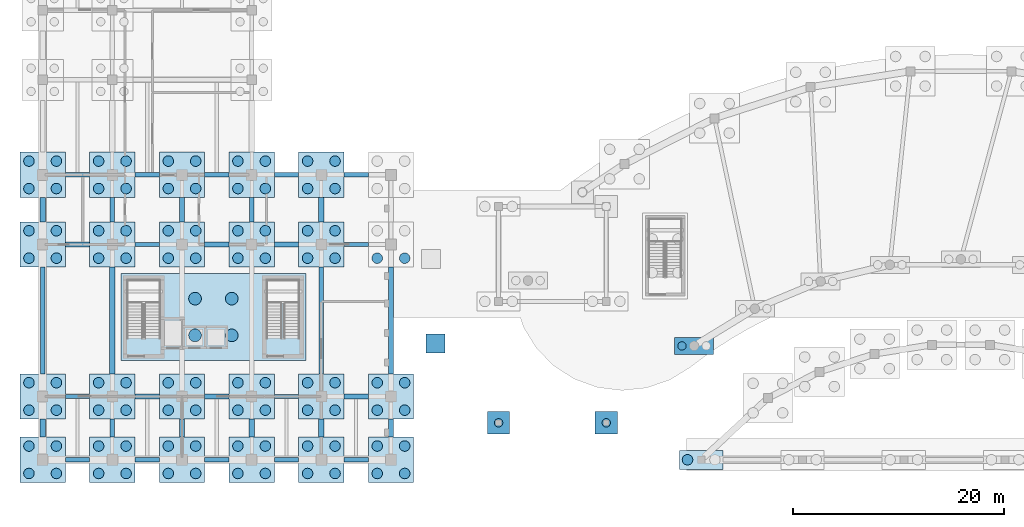
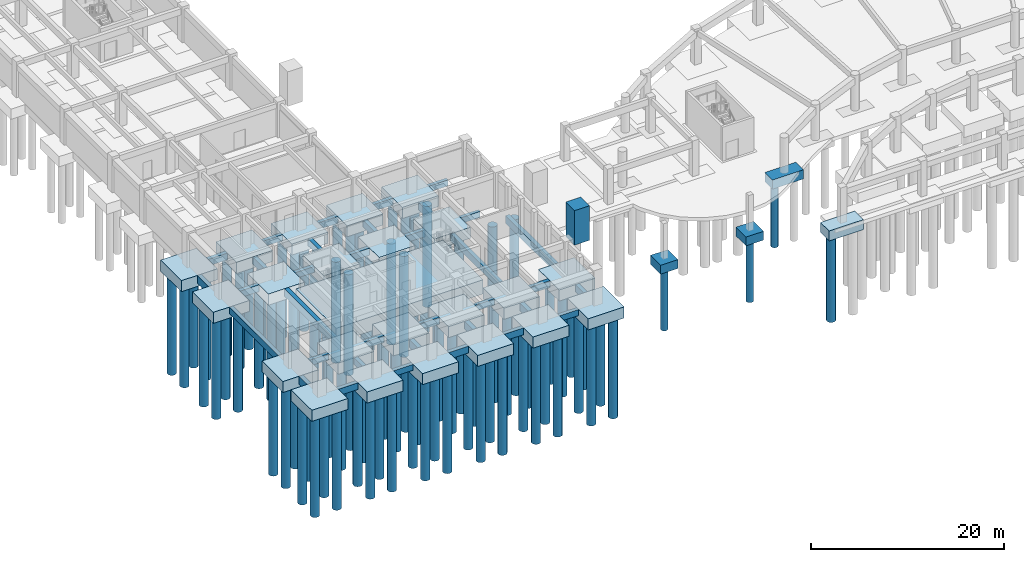
# One storey, part 1 of 28: 98 piles, 63 footings.
"""IFC4 building model written with IfcOpenShell, lengths in metres."""

from ifc_helpers import new_model, si_unit, direction, frame, origin, origin_2d, place, context, subcontext, project, spatial, rectangle, circle, extrude, material, layer, layer_set, material_profile, profile_set, type_object, element, save


model = new_model("IFC4")

# Units and contexts
model_context = context("Model", 3, precision=1e-05, world=origin(), true_north=direction((0.0, 1.0)))
body_context = subcontext(model_context, "Body", "Model", "MODEL_VIEW")
ifc_project = project(units=[si_unit("LENGTHUNIT", "METRE"), si_unit("AREAUNIT", "SQUARE_METRE"), si_unit("VOLUMEUNIT", "CUBIC_METRE"), si_unit("PLANEANGLEUNIT", "RADIAN"), si_unit("MASSUNIT", "GRAM", prefix="KILO")], contexts=[model_context])

# Site, building, storey
site_placement = place(None, origin())
site = spatial("IfcSite", under=ifc_project, at=site_placement, CompositionType="ELEMENT")
building_placement = place(site_placement, origin())
building = spatial("IfcBuilding", under=site, at=building_placement, Name="Miralva Faculty of Natural Sciences", CompositionType="ELEMENT")
storey_placement = place(building_placement, frame((0.0, 0.0, -4.5)))
storey = spatial("IfcBuildingStorey", under=building, at=storey_placement, Name="B1", CompositionType="ELEMENT", Elevation=-4.5)

# Footings
ifc_material_1 = material(Name="Concrete C35/45", Category="concrete")
ifc_layer_1 = layer(ifc_material_1, 1.10009765625, Name="CAP-PC01")
ifc_layer_set_1 = layer_set([ifc_layer_1], Name="Concrete C35/45")
footing_type_1 = type_object("IfcFootingType", Name="CAP-PC01", PredefinedType="PILE_CAP", material=ifc_layer_set_1)
for number, where, z_axis, x_axis, name in (
    (1, (46.199951171875, 6.5, -1.10009765625), (0.0, 0.0, 1.0), (1.0, 0.0, 0.0), "Canopy pier pile cap 1"),
    (2, (56.39990234375, 6.5, -1.10009765625), (0.0, 0.0, 1.0), (1.0, 0.0, 0.0), "Canopy pier pile cap 2"),
):
    element("IfcFooting", number, at=place(storey_placement, frame(where, z_axis=z_axis, x_axis=x_axis)), inside=storey, type_object=footing_type_1, Name=name, PredefinedType="PILE_CAP", context=body_context, shape_type="SweptSolid", body=[
        extrude(rectangle(XDim=2.10009765625, YDim=2.10009765625, at=origin_2d()), origin(), (0.0, 0.0, 1.0), 1.10009765625),
    ])
ifc_layer_2 = layer(ifc_material_1, 1.14990234375, Name="CAP-PC02")
ifc_layer_set_2 = layer_set([ifc_layer_2], Name="Concrete C35/45")
footing_type_2 = type_object("IfcFootingType", Name="CAP-PC02", PredefinedType="PILE_CAP", material=ifc_layer_set_2)
footing_1_placement = place(storey_placement, frame((64.72509765625, 13.78759765625, -1.14990234375), z_axis=(0.0, 0.0, 1.0), x_axis=(1.0, 0.0, 0.0)))
element("IfcFooting", 3, at=footing_1_placement, inside=storey, type_object=footing_type_2, Name="Pile cap CS-ARC-IN01", PredefinedType="PILE_CAP", context=body_context, shape_type="SweptSolid", body=[
    extrude(rectangle(XDim=3.699951171875, YDim=1.60009765625, at=origin_2d()), origin(), (0.0, 0.0, 1.0), 1.14990234375),
])
ifc_layer_3 = layer(ifc_material_1, 1.25, Name="CAP-PC04")
ifc_layer_set_3 = layer_set([ifc_layer_3], Name="Concrete C35/45")
footing_type_3 = type_object("IfcFootingType", Name="CAP-PC04", PredefinedType="PILE_CAP", material=ifc_layer_set_3)
footing_2_placement = place(storey_placement, frame((65.39990234375, 3.0, -1.25), z_axis=(0.0, 0.0, 1.0), x_axis=(1.0, 0.0, 0.0)))
element("IfcFooting", 4, at=footing_2_placement, inside=storey, type_object=footing_type_3, Name="Pile cap CS-V1-S9", PredefinedType="PILE_CAP", context=body_context, shape_type="SweptSolid", body=[
    extrude(rectangle(XDim=4.10009765625, YDim=1.800048828125, at=origin_2d()), origin(), (0.0, 0.0, 1.0), 1.25),
])
ifc_layer_4 = layer(ifc_material_1, 1.39990234375, Name="CAP-PC06")
ifc_layer_set_4 = layer_set([ifc_layer_4], Name="Concrete C35/45")
footing_type_4 = type_object("IfcFootingType", Name="CAP-PC06", PredefinedType="PILE_CAP", material=ifc_layer_set_4)
for number, where, z_axis, x_axis, name in (
    (5, (3.0, 3.0, -1.39990234375), (0.0, 0.0, 1.0), (1.0, 0.0, 0.0), "Pile cap CS-V5-1A"),
    (6, (3.0, 9.0, -1.39990234375), (0.0, 0.0, 1.0), (1.0, 0.0, 0.0), "Pile cap CS-V5-1B"),
    (7, (3.0, 23.39990234375, -1.39990234375), (0.0, 0.0, 1.0), (1.0, 0.0, 0.0), "Pile cap CS-V5-1C"),
    (8, (3.0, 30.0, -1.39990234375), (0.0, 0.0, 1.0), (1.0, 0.0, 0.0), "Pile cap CS-V5-1D"),
    (9, (9.60009765625, 3.0, -1.39990234375), (0.0, 0.0, 1.0), (1.0, 0.0, 0.0), "Pile cap CS-V5-2A"),
    (10, (9.60009765625, 9.0, -1.39990234375), (0.0, 0.0, 1.0), (1.0, 0.0, 0.0), "Pile cap CS-V5-2B"),
    (11, (9.60009765625, 23.39990234375, -1.39990234375), (0.0, 0.0, 1.0), (1.0, 0.0, 0.0), "Pile cap CS-V5-2C"),
    (12, (9.60009765625, 30.0, -1.39990234375), (0.0, 0.0, 1.0), (1.0, 0.0, 0.0), "Pile cap CS-V5-2D"),
    (13, (16.199951171875, 3.0, -1.39990234375), (0.0, 0.0, 1.0), (1.0, 0.0, 0.0), "Pile cap CS-V5-3A"),
    (14, (16.199951171875, 9.0, -1.39990234375), (0.0, 0.0, 1.0), (1.0, 0.0, 0.0), "Pile cap CS-V5-3B"),
    (15, (16.199951171875, 23.39990234375, -1.39990234375), (0.0, 0.0, 1.0), (1.0, 0.0, 0.0), "Pile cap CS-V5-3C"),
    (16, (16.199951171875, 30.0, -1.39990234375), (0.0, 0.0, 1.0), (1.0, 0.0, 0.0), "Pile cap CS-V5-3D"),
    (17, (22.800048828125, 3.0, -1.39990234375), (0.0, 0.0, 1.0), (1.0, 0.0, 0.0), "Pile cap CS-V5-4A"),
    (18, (22.800048828125, 9.0, -1.39990234375), (0.0, 0.0, 1.0), (1.0, 0.0, 0.0), "Pile cap CS-V5-4B"),
    (19, (22.800048828125, 23.39990234375, -1.39990234375), (0.0, 0.0, 1.0), (1.0, 0.0, 0.0), "Pile cap CS-V5-4C"),
    (20, (22.800048828125, 30.0, -1.39990234375), (0.0, 0.0, 1.0), (1.0, 0.0, 0.0), "Pile cap CS-V5-4D"),
    (21, (29.39990234375, 3.0, -1.39990234375), (0.0, 0.0, 1.0), (1.0, 0.0, 0.0), "Pile cap CS-V5-5A"),
    (22, (29.39990234375, 9.0, -1.39990234375), (0.0, 0.0, 1.0), (1.0, 0.0, 0.0), "Pile cap CS-V5-5B"),
    (23, (29.39990234375, 23.39990234375, -1.39990234375), (0.0, 0.0, 1.0), (1.0, 0.0, 0.0), "Pile cap CS-V5-5C"),
    (24, (29.39990234375, 30.0, -1.39990234375), (0.0, 0.0, 1.0), (1.0, 0.0, 0.0), "Pile cap CS-V5-5D"),
    (25, (36.0, 3.0, -1.39990234375), (0.0, 0.0, 1.0), (1.0, 0.0, 0.0), "Pile cap CS-V5-6A"),
    (26, (36.0, 9.0, -1.39990234375), (0.0, 0.0, 1.0), (1.0, 0.0, 0.0), "Pile cap CS-V5-6B"),
):
    element("IfcFooting", number, at=place(storey_placement, frame(where, z_axis=z_axis, x_axis=x_axis)), inside=storey, type_object=footing_type_4, Name=name, PredefinedType="PILE_CAP", context=body_context, shape_type="SweptSolid", body=[
        extrude(rectangle(XDim=4.300048828125, YDim=4.300048828125, at=origin_2d()), origin(), (0.0, 0.0, 1.0), 1.39990234375),
    ])
ifc_material_2 = material(Name="Concrete C40/50", Category="concrete")
ifc_layer_5 = layer(ifc_material_2, 1.800048828125, Name="CAP-PC10-C1AB")
ifc_layer_set_5 = layer_set([ifc_layer_5], Name="Concrete C40/50")
footing_type_5 = type_object("IfcFootingType", Name="CAP-PC10-C1AB", PredefinedType="PILE_CAP", material=ifc_layer_set_5)
footing_3_placement = place(storey_placement, frame((19.175048828125, 16.52490234375, -1.7998046875), z_axis=(0.0, 0.0, 1.0), x_axis=(1.0, 0.0, 0.0)))
element("IfcFooting", 27, at=footing_3_placement, inside=storey, type_object=footing_type_5, Name="Core C1AB pile cap", PredefinedType="PILE_CAP", context=body_context, shape_type="SweptSolid", body=[
    extrude(rectangle(XDim=17.550048828125, YDim=8.25, at=origin_2d()), origin(), (0.0, 0.0, 1.0), 1.800048828125),
])
ifc_layer_6 = layer(ifc_material_1, 0.75, Name="PAD-PF01")
ifc_layer_set_6 = layer_set([ifc_layer_6], Name="Concrete C35/45")
footing_type_6 = type_object("IfcFootingType", Name="PAD-PF01", PredefinedType="PAD_FOOTING", material=ifc_layer_set_6)
footing_4_placement = place(storey_placement, frame((40.199951171875, 14.0, -0.0302734375), z_axis=(0.0, 0.0, 1.0), x_axis=(1.0, 0.0, 0.0)))
element("IfcFooting", 28, at=footing_4_placement, inside=storey, type_object=footing_type_6, Name="Pedestrian ramp RMP-PED-01 abutment pier", PredefinedType="PAD_FOOTING", context=body_context, shape_type="SweptSolid", body=[
    extrude(rectangle(XDim=1.800048828125, YDim=1.800048828125, at=origin_2d()), origin(), (0.0, 0.0, 1.0), 4.360107421875),
])

# Piles
ifc_material_profile_1 = material_profile(ifc_material_1, circle(Radius=0.5, at=origin_2d()), Name="BORED PILE 1000")
ifc_profile_set_1 = profile_set([ifc_material_profile_1], Name="Concrete C35/45")
pile_type_1 = type_object("IfcPileType", Name="PILE-P1000", PredefinedType="BORED", material=ifc_profile_set_1)
for number, where, z_axis, x_axis, name in (
    (29, (1.699951171875, 1.699951171875, -1.25), (0.0, 0.0, -1.0), (1.0, 0.0, 0.0), "Bored pile CS-V5-1A-1"),
    (30, (4.300048828125, 1.699951171875, -1.25), (0.0, 0.0, -1.0), (1.0, 0.0, 0.0), "Bored pile CS-V5-1A-2"),
    (31, (1.699951171875, 4.300048828125, -1.25), (0.0, 0.0, -1.0), (1.0, 0.0, 0.0), "Bored pile CS-V5-1A-3"),
    (32, (4.300048828125, 4.300048828125, -1.25), (0.0, 0.0, -1.0), (1.0, 0.0, 0.0), "Bored pile CS-V5-1A-4"),
    (33, (1.699951171875, 7.699951171875, -1.25), (0.0, 0.0, -1.0), (1.0, 0.0, 0.0), "Bored pile CS-V5-1B-1"),
    (34, (4.300048828125, 7.699951171875, -1.25), (0.0, 0.0, -1.0), (1.0, 0.0, 0.0), "Bored pile CS-V5-1B-2"),
    (35, (1.699951171875, 10.300048828125, -1.25), (0.0, 0.0, -1.0), (1.0, 0.0, 0.0), "Bored pile CS-V5-1B-3"),
    (36, (4.300048828125, 10.300048828125, -1.25), (0.0, 0.0, -1.0), (1.0, 0.0, 0.0), "Bored pile CS-V5-1B-4"),
    (37, (1.699951171875, 22.10009765625, -1.25), (0.0, 0.0, -1.0), (1.0, 0.0, 0.0), "Bored pile CS-V5-1C-1"),
    (38, (4.300048828125, 22.10009765625, -1.25), (0.0, 0.0, -1.0), (1.0, 0.0, 0.0), "Bored pile CS-V5-1C-2"),
    (39, (1.699951171875, 24.699951171875, -1.25), (0.0, 0.0, -1.0), (1.0, 0.0, 0.0), "Bored pile CS-V5-1C-3"),
    (40, (4.300048828125, 24.699951171875, -1.25), (0.0, 0.0, -1.0), (1.0, 0.0, 0.0), "Bored pile CS-V5-1C-4"),
    (41, (1.699951171875, 28.699951171875, -1.25), (0.0, 0.0, -1.0), (1.0, 0.0, 0.0), "Bored pile CS-V5-1D-1"),
    (42, (4.300048828125, 28.699951171875, -1.25), (0.0, 0.0, -1.0), (1.0, 0.0, 0.0), "Bored pile CS-V5-1D-2"),
    (43, (1.699951171875, 31.300048828125, -1.25), (0.0, 0.0, -1.0), (1.0, 0.0, 0.0), "Bored pile CS-V5-1D-3"),
    (44, (4.300048828125, 31.300048828125, -1.25), (0.0, 0.0, -1.0), (1.0, 0.0, 0.0), "Bored pile CS-V5-1D-4"),
    (45, (8.300048828125, 1.699951171875, -1.25), (0.0, 0.0, -1.0), (1.0, 0.0, 0.0), "Bored pile CS-V5-2A-1"),
    (46, (10.89990234375, 1.699951171875, -1.25), (0.0, 0.0, -1.0), (1.0, 0.0, 0.0), "Bored pile CS-V5-2A-2"),
    (47, (8.300048828125, 4.300048828125, -1.25), (0.0, 0.0, -1.0), (1.0, 0.0, 0.0), "Bored pile CS-V5-2A-3"),
    (48, (10.89990234375, 4.300048828125, -1.25), (0.0, 0.0, -1.0), (1.0, 0.0, 0.0), "Bored pile CS-V5-2A-4"),
    (49, (8.300048828125, 7.699951171875, -1.25), (0.0, 0.0, -1.0), (1.0, 0.0, 0.0), "Bored pile CS-V5-2B-1"),
    (50, (10.89990234375, 7.699951171875, -1.25), (0.0, 0.0, -1.0), (1.0, 0.0, 0.0), "Bored pile CS-V5-2B-2"),
    (51, (8.300048828125, 10.300048828125, -1.25), (0.0, 0.0, -1.0), (1.0, 0.0, 0.0), "Bored pile CS-V5-2B-3"),
    (52, (10.89990234375, 10.300048828125, -1.25), (0.0, 0.0, -1.0), (1.0, 0.0, 0.0), "Bored pile CS-V5-2B-4"),
    (53, (8.300048828125, 22.10009765625, -1.25), (0.0, 0.0, -1.0), (1.0, 0.0, 0.0), "Bored pile CS-V5-2C-1"),
    (54, (10.89990234375, 22.10009765625, -1.25), (0.0, 0.0, -1.0), (1.0, 0.0, 0.0), "Bored pile CS-V5-2C-2"),
    (55, (8.300048828125, 24.699951171875, -1.25), (0.0, 0.0, -1.0), (1.0, 0.0, 0.0), "Bored pile CS-V5-2C-3"),
    (56, (10.89990234375, 24.699951171875, -1.25), (0.0, 0.0, -1.0), (1.0, 0.0, 0.0), "Bored pile CS-V5-2C-4"),
    (57, (8.300048828125, 28.699951171875, -1.25), (0.0, 0.0, -1.0), (1.0, 0.0, 0.0), "Bored pile CS-V5-2D-1"),
    (58, (10.89990234375, 28.699951171875, -1.25), (0.0, 0.0, -1.0), (1.0, 0.0, 0.0), "Bored pile CS-V5-2D-2"),
    (59, (8.300048828125, 31.300048828125, -1.25), (0.0, 0.0, -1.0), (1.0, 0.0, 0.0), "Bored pile CS-V5-2D-3"),
    (60, (10.89990234375, 31.300048828125, -1.25), (0.0, 0.0, -1.0), (1.0, 0.0, 0.0), "Bored pile CS-V5-2D-4"),
    (61, (14.89990234375, 1.699951171875, -1.25), (0.0, 0.0, -1.0), (1.0, 0.0, 0.0), "Bored pile CS-V5-3A-1"),
    (62, (17.5, 1.699951171875, -1.25), (0.0, 0.0, -1.0), (1.0, 0.0, 0.0), "Bored pile CS-V5-3A-2"),
    (63, (14.89990234375, 4.300048828125, -1.25), (0.0, 0.0, -1.0), (1.0, 0.0, 0.0), "Bored pile CS-V5-3A-3"),
    (64, (17.5, 4.300048828125, -1.25), (0.0, 0.0, -1.0), (1.0, 0.0, 0.0), "Bored pile CS-V5-3A-4"),
    (65, (14.89990234375, 7.699951171875, -1.25), (0.0, 0.0, -1.0), (1.0, 0.0, 0.0), "Bored pile CS-V5-3B-1"),
    (66, (17.5, 7.699951171875, -1.25), (0.0, 0.0, -1.0), (1.0, 0.0, 0.0), "Bored pile CS-V5-3B-2"),
    (67, (14.89990234375, 10.300048828125, -1.25), (0.0, 0.0, -1.0), (1.0, 0.0, 0.0), "Bored pile CS-V5-3B-3"),
    (68, (17.5, 10.300048828125, -1.25), (0.0, 0.0, -1.0), (1.0, 0.0, 0.0), "Bored pile CS-V5-3B-4"),
    (69, (14.89990234375, 22.10009765625, -1.25), (0.0, 0.0, -1.0), (1.0, 0.0, 0.0), "Bored pile CS-V5-3C-1"),
    (70, (17.5, 22.10009765625, -1.25), (0.0, 0.0, -1.0), (1.0, 0.0, 0.0), "Bored pile CS-V5-3C-2"),
    (71, (14.89990234375, 24.699951171875, -1.25), (0.0, 0.0, -1.0), (1.0, 0.0, 0.0), "Bored pile CS-V5-3C-3"),
    (72, (17.5, 24.699951171875, -1.25), (0.0, 0.0, -1.0), (1.0, 0.0, 0.0), "Bored pile CS-V5-3C-4"),
    (73, (14.89990234375, 28.699951171875, -1.25), (0.0, 0.0, -1.0), (1.0, 0.0, 0.0), "Bored pile CS-V5-3D-1"),
    (74, (17.5, 28.699951171875, -1.25), (0.0, 0.0, -1.0), (1.0, 0.0, 0.0), "Bored pile CS-V5-3D-2"),
    (75, (14.89990234375, 31.300048828125, -1.25), (0.0, 0.0, -1.0), (1.0, 0.0, 0.0), "Bored pile CS-V5-3D-3"),
    (76, (17.5, 31.300048828125, -1.25), (0.0, 0.0, -1.0), (1.0, 0.0, 0.0), "Bored pile CS-V5-3D-4"),
    (77, (21.5, 1.699951171875, -1.25), (0.0, 0.0, -1.0), (1.0, 0.0, 0.0), "Bored pile CS-V5-4A-1"),
    (78, (24.10009765625, 1.699951171875, -1.25), (0.0, 0.0, -1.0), (1.0, 0.0, 0.0), "Bored pile CS-V5-4A-2"),
    (79, (21.5, 4.300048828125, -1.25), (0.0, 0.0, -1.0), (1.0, 0.0, 0.0), "Bored pile CS-V5-4A-3"),
    (80, (24.10009765625, 4.300048828125, -1.25), (0.0, 0.0, -1.0), (1.0, 0.0, 0.0), "Bored pile CS-V5-4A-4"),
    (81, (21.5, 7.699951171875, -1.25), (0.0, 0.0, -1.0), (1.0, 0.0, 0.0), "Bored pile CS-V5-4B-1"),
    (82, (24.10009765625, 7.699951171875, -1.25), (0.0, 0.0, -1.0), (1.0, 0.0, 0.0), "Bored pile CS-V5-4B-2"),
    (83, (21.5, 10.300048828125, -1.25), (0.0, 0.0, -1.0), (1.0, 0.0, 0.0), "Bored pile CS-V5-4B-3"),
    (84, (24.10009765625, 10.300048828125, -1.25), (0.0, 0.0, -1.0), (1.0, 0.0, 0.0), "Bored pile CS-V5-4B-4"),
    (85, (21.5, 22.10009765625, -1.25), (0.0, 0.0, -1.0), (1.0, 0.0, 0.0), "Bored pile CS-V5-4C-1"),
    (86, (24.10009765625, 22.10009765625, -1.25), (0.0, 0.0, -1.0), (1.0, 0.0, 0.0), "Bored pile CS-V5-4C-2"),
    (87, (21.5, 24.699951171875, -1.25), (0.0, 0.0, -1.0), (1.0, 0.0, 0.0), "Bored pile CS-V5-4C-3"),
    (88, (24.10009765625, 24.699951171875, -1.25), (0.0, 0.0, -1.0), (1.0, 0.0, 0.0), "Bored pile CS-V5-4C-4"),
    (89, (21.5, 28.699951171875, -1.25), (0.0, 0.0, -1.0), (1.0, 0.0, 0.0), "Bored pile CS-V5-4D-1"),
    (90, (24.10009765625, 28.699951171875, -1.25), (0.0, 0.0, -1.0), (1.0, 0.0, 0.0), "Bored pile CS-V5-4D-2"),
    (91, (21.5, 31.300048828125, -1.25), (0.0, 0.0, -1.0), (1.0, 0.0, 0.0), "Bored pile CS-V5-4D-3"),
    (92, (24.10009765625, 31.300048828125, -1.25), (0.0, 0.0, -1.0), (1.0, 0.0, 0.0), "Bored pile CS-V5-4D-4"),
    (93, (28.10009765625, 1.699951171875, -1.25), (0.0, 0.0, -1.0), (1.0, 0.0, 0.0), "Bored pile CS-V5-5A-1"),
    (94, (30.699951171875, 1.699951171875, -1.25), (0.0, 0.0, -1.0), (1.0, 0.0, 0.0), "Bored pile CS-V5-5A-2"),
    (95, (28.10009765625, 4.300048828125, -1.25), (0.0, 0.0, -1.0), (1.0, 0.0, 0.0), "Bored pile CS-V5-5A-3"),
    (96, (30.699951171875, 4.300048828125, -1.25), (0.0, 0.0, -1.0), (1.0, 0.0, 0.0), "Bored pile CS-V5-5A-4"),
    (97, (28.10009765625, 7.699951171875, -1.25), (0.0, 0.0, -1.0), (1.0, 0.0, 0.0), "Bored pile CS-V5-5B-1"),
    (98, (30.699951171875, 7.699951171875, -1.25), (0.0, 0.0, -1.0), (1.0, 0.0, 0.0), "Bored pile CS-V5-5B-2"),
    (99, (28.10009765625, 10.300048828125, -1.25), (0.0, 0.0, -1.0), (1.0, 0.0, 0.0), "Bored pile CS-V5-5B-3"),
    (100, (30.699951171875, 10.300048828125, -1.25), (0.0, 0.0, -1.0), (1.0, 0.0, 0.0), "Bored pile CS-V5-5B-4"),
    (101, (28.10009765625, 22.10009765625, -1.25), (0.0, 0.0, -1.0), (1.0, 0.0, 0.0), "Bored pile CS-V5-5C-1"),
    (102, (30.699951171875, 22.10009765625, -1.25), (0.0, 0.0, -1.0), (1.0, 0.0, 0.0), "Bored pile CS-V5-5C-2"),
    (103, (28.10009765625, 24.699951171875, -1.25), (0.0, 0.0, -1.0), (1.0, 0.0, 0.0), "Bored pile CS-V5-5C-3"),
    (104, (30.699951171875, 24.699951171875, -1.25), (0.0, 0.0, -1.0), (1.0, 0.0, 0.0), "Bored pile CS-V5-5C-4"),
    (105, (28.10009765625, 28.699951171875, -1.25), (0.0, 0.0, -1.0), (1.0, 0.0, 0.0), "Bored pile CS-V5-5D-1"),
    (106, (30.699951171875, 28.699951171875, -1.25), (0.0, 0.0, -1.0), (1.0, 0.0, 0.0), "Bored pile CS-V5-5D-2"),
    (107, (28.10009765625, 31.300048828125, -1.25), (0.0, 0.0, -1.0), (1.0, 0.0, 0.0), "Bored pile CS-V5-5D-3"),
    (108, (30.699951171875, 31.300048828125, -1.25), (0.0, 0.0, -1.0), (1.0, 0.0, 0.0), "Bored pile CS-V5-5D-4"),
    (109, (34.699951171875, 1.699951171875, -1.25), (0.0, 0.0, -1.0), (1.0, 0.0, 0.0), "Bored pile CS-V5-6A-1"),
    (110, (37.300048828125, 1.699951171875, -1.25), (0.0, 0.0, -1.0), (1.0, 0.0, 0.0), "Bored pile CS-V5-6A-2"),
    (111, (34.699951171875, 4.300048828125, -1.25), (0.0, 0.0, -1.0), (1.0, 0.0, 0.0), "Bored pile CS-V5-6A-3"),
    (112, (37.300048828125, 4.300048828125, -1.25), (0.0, 0.0, -1.0), (1.0, 0.0, 0.0), "Bored pile CS-V5-6A-4"),
    (113, (34.699951171875, 7.699951171875, -1.25), (0.0, 0.0, -1.0), (1.0, 0.0, 0.0), "Bored pile CS-V5-6B-1"),
    (114, (37.300048828125, 7.699951171875, -1.25), (0.0, 0.0, -1.0), (1.0, 0.0, 0.0), "Bored pile CS-V5-6B-2"),
    (115, (34.699951171875, 10.300048828125, -1.25), (0.0, 0.0, -1.0), (1.0, 0.0, 0.0), "Bored pile CS-V5-6B-3"),
    (116, (37.300048828125, 10.300048828125, -1.25), (0.0, 0.0, -1.0), (1.0, 0.0, 0.0), "Bored pile CS-V5-6B-4"),
    (117, (34.699951171875, 22.10009765625, -1.25), (0.0, 0.0, -1.0), (1.0, 0.0, 0.0), "Bored pile CS-V5-6C-1"),
    (118, (37.300048828125, 22.10009765625, -1.25), (0.0, 0.0, -1.0), (1.0, 0.0, 0.0), "Bored pile CS-V5-6C-2"),
):
    element("IfcPile", number, at=place(storey_placement, frame(where, z_axis=z_axis, x_axis=x_axis)), inside=storey, type_object=pile_type_1, Name=name, PredefinedType="BORED", context=body_context, shape_type="SweptSolid", body=[
        extrude(circle(Radius=0.5, at=origin_2d()), origin(), (0.0, 0.0, 1.0), 12.75),
    ])
pile_1_placement = place(storey_placement, frame((64.10009765625, 3.0, -1.10009765625), z_axis=(0.0, 0.0, -1.0), x_axis=(1.0, 0.0, 0.0)))
element("IfcPile", 119, at=pile_1_placement, inside=storey, type_object=pile_type_1, Name="Bored pile CS-V1-S9-1", PredefinedType="BORED", context=body_context, shape_type="SweptSolid", body=[
    extrude(circle(Radius=0.5, at=origin_2d()), origin(), (0.0, 0.0, 1.0), 10.89990234375),
])
ifc_material_profile_2 = material_profile(ifc_material_2, circle(Radius=0.60009765625, at=origin_2d()), Name="BORED PILE 1200")
ifc_profile_set_2 = profile_set([ifc_material_profile_2], Name="Concrete C40/50")
pile_type_2 = type_object("IfcPileType", Name="PILE-P1200", PredefinedType="BORED", material=ifc_profile_set_2)
for number, where, z_axis, x_axis, name in (
    (120, (17.43505859375, 14.784912109375, -1.64990234375), (0.0, 0.0, -1.0), (1.0, 0.0, 0.0), "Core C1AB bored pile 1"),
    (121, (20.9150390625, 14.784912109375, -1.64990234375), (0.0, 0.0, -1.0), (1.0, 0.0, 0.0), "Core C1AB bored pile 2"),
    (122, (17.43505859375, 18.264892578125, -1.64990234375), (0.0, 0.0, -1.0), (1.0, 0.0, 0.0), "Core C1AB bored pile 3"),
    (123, (20.9150390625, 18.264892578125, -1.64990234375), (0.0, 0.0, -1.0), (1.0, 0.0, 0.0), "Core C1AB bored pile 4"),
):
    element("IfcPile", number, at=place(storey_placement, frame(where, z_axis=z_axis, x_axis=x_axis)), inside=storey, type_object=pile_type_2, Name=name, PredefinedType="BORED", context=body_context, shape_type="SweptSolid", body=[
        extrude(circle(Radius=0.60009765625, at=origin_2d()), origin(), (0.0, 0.0, 1.0), 12.35009765625),
    ])
ifc_material_profile_3 = material_profile(ifc_material_1, circle(Radius=0.39990234375, at=origin_2d()), Name="BORED PILE 800")
ifc_profile_set_3 = profile_set([ifc_material_profile_3], Name="Concrete C35/45")
pile_type_3 = type_object("IfcPileType", Name="PILE-P800", PredefinedType="BORED", material=ifc_profile_set_3)
pile_2_placement = place(storey_placement, frame((63.5751953125, 13.78759765625, -1.0), z_axis=(0.0, 0.0, -1.0), x_axis=(1.0, 0.0, 0.0)))
element("IfcPile", 124, at=pile_2_placement, inside=storey, type_object=pile_type_3, Name="Bored pile CS-ARC-IN01-1", PredefinedType="BORED", context=body_context, shape_type="SweptSolid", body=[
    extrude(circle(Radius=0.39990234375, at=origin_2d()), origin(), (0.0, 0.0, 1.0), 8.0),
])
for number, where, z_axis, x_axis, name in (
    (125, (46.199951171875, 6.5, -0.949951171875), (0.0, 0.0, -1.0), (1.0, 0.0, 0.0), "Canopy pier bored pile 1"),
    (126, (56.39990234375, 6.5, -0.949951171875), (0.0, 0.0, -1.0), (1.0, 0.0, 0.0), "Canopy pier bored pile 2"),
):
    element("IfcPile", number, at=place(storey_placement, frame(where, z_axis=z_axis, x_axis=x_axis)), inside=storey, type_object=pile_type_3, Name=name, PredefinedType="BORED", context=body_context, shape_type="SweptSolid", body=[
        extrude(circle(Radius=0.39990234375, at=origin_2d()), origin(), (0.0, 0.0, 1.0), 8.050048828125),
    ])

# Footings
ifc_material_profile_4 = material_profile(ifc_material_1, rectangle(XDim=0.449951171875, YDim=0.85009765625, at=origin_2d()), Name="RC 450x850")
ifc_profile_set_4 = profile_set([ifc_material_profile_4], Name="Concrete C35/45")
footing_type_7 = type_object("IfcFootingType", Name="TB-01", PredefinedType="FOOTING_BEAM", material=ifc_profile_set_4)
footing_5_placement = place(storey_placement, frame((3.0, 11.14990234375, -0.425048828125), z_axis=(0.0, 1.0, 0.0), x_axis=(-1.0, 0.0, 0.0)))
element("IfcFooting", 127, at=footing_5_placement, inside=storey, type_object=footing_type_7, Name="Foundation tie beam NS 2", PredefinedType="FOOTING_BEAM", context=body_context, shape_type="SweptSolid", body=[
    extrude(rectangle(XDim=0.449951171875, YDim=0.85009765625, at=origin_2d()), origin(), (0.0, 0.0, 1.0), 10.10009765625),
])
footing_6_placement = place(storey_placement, frame((9.60009765625, 5.14990234375, -0.425048828125), z_axis=(0.0, 1.0, 0.0), x_axis=(-1.0, 0.0, 0.0)))
element("IfcFooting", 128, at=footing_6_placement, inside=storey, type_object=footing_type_7, Name="Foundation tie beam NS 14", PredefinedType="FOOTING_BEAM", context=body_context, shape_type="SweptSolid", body=[
    extrude(rectangle(XDim=0.449951171875, YDim=0.85009765625, at=origin_2d()), origin(), (0.0, 0.0, 1.0), 1.7001953125),
])
for number, where, z_axis, x_axis, name in (
    (129, (9.60009765625, 25.550048828125, -0.425048828125), (0.0, 1.0, 0.0), (-1.0, 0.0, 0.0), "Foundation tie beam NS 16"),
    (130, (16.199951171875, 25.550048828125, -0.425048828125), (0.0, 1.0, 0.0), (-1.0, 0.0, 0.0), "Foundation tie beam NS 28"),
    (131, (22.800048828125, 25.550048828125, -0.425048828125), (0.0, 1.0, 0.0), (-1.0, 0.0, 0.0), "Foundation tie beam NS 30"),
):
    element("IfcFooting", number, at=place(storey_placement, frame(where, z_axis=z_axis, x_axis=x_axis)), inside=storey, type_object=footing_type_7, Name=name, PredefinedType="FOOTING_BEAM", context=body_context, shape_type="SweptSolid", body=[
        extrude(rectangle(XDim=0.449951171875, YDim=0.85009765625, at=origin_2d()), origin(), (0.0, 0.0, 1.0), 2.300048828125),
    ])
footing_7_placement = place(storey_placement, frame((29.39990234375, 11.14990234375, -0.425048828125), z_axis=(0.0, 1.0, 0.0), x_axis=(-1.0, 0.0, 0.0)))
element("IfcFooting", 132, at=footing_7_placement, inside=storey, type_object=footing_type_7, Name="Foundation tie beam NS 42", PredefinedType="FOOTING_BEAM", context=body_context, shape_type="SweptSolid", body=[
    extrude(rectangle(XDim=0.449951171875, YDim=0.85009765625, at=origin_2d()), origin(), (0.0, 0.0, 1.0), 10.10009765625),
])
footing_8_placement = place(storey_placement, frame((36.0, 5.14990234375, -0.425048828125), z_axis=(0.0, 1.0, 0.0), x_axis=(-1.0, 0.0, 0.0)))
element("IfcFooting", 133, at=footing_8_placement, inside=storey, type_object=footing_type_7, Name="Foundation tie beam NS 46", PredefinedType="FOOTING_BEAM", context=body_context, shape_type="SweptSolid", body=[
    extrude(rectangle(XDim=0.449951171875, YDim=0.85009765625, at=origin_2d()), origin(), (0.0, 0.0, 1.0), 1.7001953125),
])
footing_9_placement = place(storey_placement, frame((5.14990234375, 3.0, -0.425048828125), z_axis=(1.0, 0.0, 0.0), x_axis=(0.0, 1.0, 0.0)))
element("IfcFooting", 134, at=footing_9_placement, inside=storey, type_object=footing_type_7, Name="Foundation tie beam EW 113", PredefinedType="FOOTING_BEAM", context=body_context, shape_type="SweptSolid", body=[
    extrude(rectangle(XDim=0.449951171875, YDim=0.85009765625, at=origin_2d()), origin(), (0.0, 0.0, 1.0), 2.300048828125),
])
footing_10_placement = place(storey_placement, frame((18.35009765625, 3.0, -0.425048828125), z_axis=(1.0, 0.0, 0.0), x_axis=(0.0, 1.0, 0.0)))
element("IfcFooting", 135, at=footing_10_placement, inside=storey, type_object=footing_type_7, Name="Foundation tie beam EW 115", PredefinedType="FOOTING_BEAM", context=body_context, shape_type="SweptSolid", body=[
    extrude(rectangle(XDim=0.449951171875, YDim=0.85009765625, at=origin_2d()), origin(), (0.0, 0.0, 1.0), 2.2998046875),
])
for number, where, z_axis, x_axis, name in (
    (136, (24.949951171875, 3.0, -0.425048828125), (1.0, 0.0, 0.0), (0.0, 1.0, 0.0), "Foundation tie beam EW 116"),
    (137, (11.75, 9.0, -0.425048828125), (1.0, 0.0, 0.0), (0.0, 1.0, 0.0), "Foundation tie beam EW 124"),
):
    element("IfcFooting", number, at=place(storey_placement, frame(where, z_axis=z_axis, x_axis=x_axis)), inside=storey, type_object=footing_type_7, Name=name, PredefinedType="FOOTING_BEAM", context=body_context, shape_type="SweptSolid", body=[
        extrude(rectangle(XDim=0.449951171875, YDim=0.85009765625, at=origin_2d()), origin(), (0.0, 0.0, 1.0), 2.300048828125),
    ])
footing_11_placement = place(storey_placement, frame((18.35009765625, 9.0, -0.425048828125), z_axis=(1.0, 0.0, 0.0), x_axis=(0.0, 1.0, 0.0)))
element("IfcFooting", 138, at=footing_11_placement, inside=storey, type_object=footing_type_7, Name="Foundation tie beam EW 125", PredefinedType="FOOTING_BEAM", context=body_context, shape_type="SweptSolid", body=[
    extrude(rectangle(XDim=0.449951171875, YDim=0.85009765625, at=origin_2d()), origin(), (0.0, 0.0, 1.0), 2.2998046875),
])
for number, where, z_axis, x_axis, name in (
    (139, (31.550048828125, 9.0, -0.425048828125), (1.0, 0.0, 0.0), (0.0, 1.0, 0.0), "Foundation tie beam EW 127"),
    (140, (5.14990234375, 23.39990234375, -0.425048828125), (1.0, 0.0, 0.0), (0.0, 1.0, 0.0), "Foundation tie beam EW 134"),
):
    element("IfcFooting", number, at=place(storey_placement, frame(where, z_axis=z_axis, x_axis=x_axis)), inside=storey, type_object=footing_type_7, Name=name, PredefinedType="FOOTING_BEAM", context=body_context, shape_type="SweptSolid", body=[
        extrude(rectangle(XDim=0.449951171875, YDim=0.85009765625, at=origin_2d()), origin(), (0.0, 0.0, 1.0), 2.300048828125),
    ])
footing_12_placement = place(storey_placement, frame((18.35009765625, 23.39990234375, -0.425048828125), z_axis=(1.0, 0.0, 0.0), x_axis=(0.0, 1.0, 0.0)))
element("IfcFooting", 141, at=footing_12_placement, inside=storey, type_object=footing_type_7, Name="Foundation tie beam EW 136", PredefinedType="FOOTING_BEAM", context=body_context, shape_type="SweptSolid", body=[
    extrude(rectangle(XDim=0.449951171875, YDim=0.85009765625, at=origin_2d()), origin(), (0.0, 0.0, 1.0), 2.2998046875),
])
for number, where, z_axis, x_axis, name in (
    (142, (24.949951171875, 23.39990234375, -0.425048828125), (1.0, 0.0, 0.0), (0.0, 1.0, 0.0), "Foundation tie beam EW 137"),
    (143, (5.14990234375, 30.0, -0.425048828125), (1.0, 0.0, 0.0), (0.0, 1.0, 0.0), "Foundation tie beam EW 143"),
):
    element("IfcFooting", number, at=place(storey_placement, frame(where, z_axis=z_axis, x_axis=x_axis)), inside=storey, type_object=footing_type_7, Name=name, PredefinedType="FOOTING_BEAM", context=body_context, shape_type="SweptSolid", body=[
        extrude(rectangle(XDim=0.449951171875, YDim=0.85009765625, at=origin_2d()), origin(), (0.0, 0.0, 1.0), 2.300048828125),
    ])
footing_13_placement = place(storey_placement, frame((18.35009765625, 30.0, -0.425048828125), z_axis=(1.0, 0.0, 0.0), x_axis=(0.0, 1.0, 0.0)))
element("IfcFooting", 144, at=footing_13_placement, inside=storey, type_object=footing_type_7, Name="Foundation tie beam EW 145", PredefinedType="FOOTING_BEAM", context=body_context, shape_type="SweptSolid", body=[
    extrude(rectangle(XDim=0.449951171875, YDim=0.85009765625, at=origin_2d()), origin(), (0.0, 0.0, 1.0), 2.2998046875),
])
footing_14_placement = place(storey_placement, frame((24.949951171875, 30.0, -0.425048828125), z_axis=(1.0, 0.0, 0.0), x_axis=(0.0, 1.0, 0.0)))
element("IfcFooting", 145, at=footing_14_placement, inside=storey, type_object=footing_type_7, Name="Foundation tie beam EW 146", PredefinedType="FOOTING_BEAM", context=body_context, shape_type="SweptSolid", body=[
    extrude(rectangle(XDim=0.449951171875, YDim=0.85009765625, at=origin_2d()), origin(), (0.0, 0.0, 1.0), 2.300048828125),
])
ifc_material_profile_5 = material_profile(ifc_material_1, rectangle(XDim=0.5, YDim=0.949951171875, at=origin_2d()), Name="RC 500x950")
ifc_profile_set_5 = profile_set([ifc_material_profile_5], Name="Concrete C35/45")
footing_type_8 = type_object("IfcFootingType", Name="TB-02", PredefinedType="FOOTING_BEAM", material=ifc_profile_set_5)
footing_15_placement = place(storey_placement, frame((3.0, 5.14990234375, -0.47509765625), z_axis=(0.0, 1.0, 0.0), x_axis=(-1.0, 0.0, 0.0)))
element("IfcFooting", 146, at=footing_15_placement, inside=storey, type_object=footing_type_8, Name="Foundation tie beam NS 1", PredefinedType="FOOTING_BEAM", context=body_context, shape_type="SweptSolid", body=[
    extrude(rectangle(XDim=0.5, YDim=0.949951171875, at=origin_2d()), origin(), (0.0, 0.0, 1.0), 1.7001953125),
])
footing_16_placement = place(storey_placement, frame((3.0, 25.550048828125, -0.47509765625), z_axis=(0.0, 1.0, 0.0), x_axis=(-1.0, 0.0, 0.0)))
element("IfcFooting", 147, at=footing_16_placement, inside=storey, type_object=footing_type_8, Name="Foundation tie beam NS 3", PredefinedType="FOOTING_BEAM", context=body_context, shape_type="SweptSolid", body=[
    extrude(rectangle(XDim=0.5, YDim=0.949951171875, at=origin_2d()), origin(), (0.0, 0.0, 1.0), 2.300048828125),
])
footing_17_placement = place(storey_placement, frame((9.60009765625, 11.14990234375, -0.47509765625), z_axis=(0.0, 1.0, 0.0), x_axis=(-1.0, 0.0, 0.0)))
element("IfcFooting", 148, at=footing_17_placement, inside=storey, type_object=footing_type_8, Name="Foundation tie beam NS 15", PredefinedType="FOOTING_BEAM", context=body_context, shape_type="SweptSolid", body=[
    extrude(rectangle(XDim=0.5, YDim=0.949951171875, at=origin_2d()), origin(), (0.0, 0.0, 1.0), 10.10009765625),
])
for number, where, z_axis, x_axis, name in (
    (149, (16.199951171875, 5.14990234375, -0.47509765625), (0.0, 1.0, 0.0), (-1.0, 0.0, 0.0), "Foundation tie beam NS 27"),
    (150, (22.800048828125, 5.14990234375, -0.47509765625), (0.0, 1.0, 0.0), (-1.0, 0.0, 0.0), "Foundation tie beam NS 29"),
    (151, (29.39990234375, 5.14990234375, -0.47509765625), (0.0, 1.0, 0.0), (-1.0, 0.0, 0.0), "Foundation tie beam NS 41"),
):
    element("IfcFooting", number, at=place(storey_placement, frame(where, z_axis=z_axis, x_axis=x_axis)), inside=storey, type_object=footing_type_8, Name=name, PredefinedType="FOOTING_BEAM", context=body_context, shape_type="SweptSolid", body=[
        extrude(rectangle(XDim=0.5, YDim=0.949951171875, at=origin_2d()), origin(), (0.0, 0.0, 1.0), 1.7001953125),
    ])
footing_18_placement = place(storey_placement, frame((29.39990234375, 25.550048828125, -0.47509765625), z_axis=(0.0, 1.0, 0.0), x_axis=(-1.0, 0.0, 0.0)))
element("IfcFooting", 152, at=footing_18_placement, inside=storey, type_object=footing_type_8, Name="Foundation tie beam NS 43", PredefinedType="FOOTING_BEAM", context=body_context, shape_type="SweptSolid", body=[
    extrude(rectangle(XDim=0.5, YDim=0.949951171875, at=origin_2d()), origin(), (0.0, 0.0, 1.0), 2.300048828125),
])
footing_19_placement = place(storey_placement, frame((36.0, 11.14990234375, -0.47509765625), z_axis=(0.0, 1.0, 0.0), x_axis=(-1.0, 0.0, 0.0)))
element("IfcFooting", 153, at=footing_19_placement, inside=storey, type_object=footing_type_8, Name="Foundation tie beam NS 47", PredefinedType="FOOTING_BEAM", context=body_context, shape_type="SweptSolid", body=[
    extrude(rectangle(XDim=0.5, YDim=0.949951171875, at=origin_2d()), origin(), (0.0, 0.0, 1.0), 10.10009765625),
])
ifc_material_profile_6 = material_profile(ifc_material_1, rectangle(XDim=0.39990234375, YDim=0.75, at=origin_2d()), Name="RC 400x750")
ifc_profile_set_6 = profile_set([ifc_material_profile_6], Name="Concrete C35/45")
footing_type_9 = type_object("IfcFootingType", Name="TB-04", PredefinedType="FOOTING_BEAM", material=ifc_profile_set_6)
for number, where, z_axis, x_axis, name in (
    (154, (11.75, 3.0, -0.375), (1.0, 0.0, 0.0), (0.0, 1.0, 0.0), "Foundation tie beam EW 114"),
    (155, (31.550048828125, 3.0, -0.375), (1.0, 0.0, 0.0), (0.0, 1.0, 0.0), "Foundation tie beam EW 117"),
    (156, (5.14990234375, 9.0, -0.375), (1.0, 0.0, 0.0), (0.0, 1.0, 0.0), "Foundation tie beam EW 123"),
    (157, (24.949951171875, 9.0, -0.375), (1.0, 0.0, 0.0), (0.0, 1.0, 0.0), "Foundation tie beam EW 126"),
    (158, (11.75, 23.39990234375, -0.375), (1.0, 0.0, 0.0), (0.0, 1.0, 0.0), "Foundation tie beam EW 135"),
    (159, (31.550048828125, 23.39990234375, -0.375), (1.0, 0.0, 0.0), (0.0, 1.0, 0.0), "Foundation tie beam EW 138"),
    (160, (11.75, 30.0, -0.375), (1.0, 0.0, 0.0), (0.0, 1.0, 0.0), "Foundation tie beam EW 144"),
    (161, (31.550048828125, 30.0, -0.375), (1.0, 0.0, 0.0), (0.0, 1.0, 0.0), "Foundation tie beam EW 147"),
):
    element("IfcFooting", number, at=place(storey_placement, frame(where, z_axis=z_axis, x_axis=x_axis)), inside=storey, type_object=footing_type_9, Name=name, PredefinedType="FOOTING_BEAM", context=body_context, shape_type="SweptSolid", body=[
        extrude(rectangle(XDim=0.39990234375, YDim=0.75, at=origin_2d()), origin(), (0.0, 0.0, 1.0), 2.300048828125),
    ])

save(model, "model.ifc")
